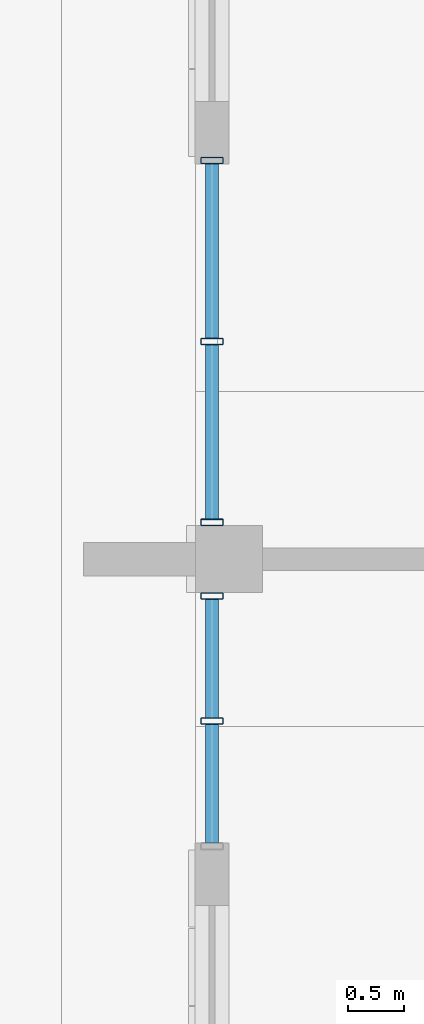
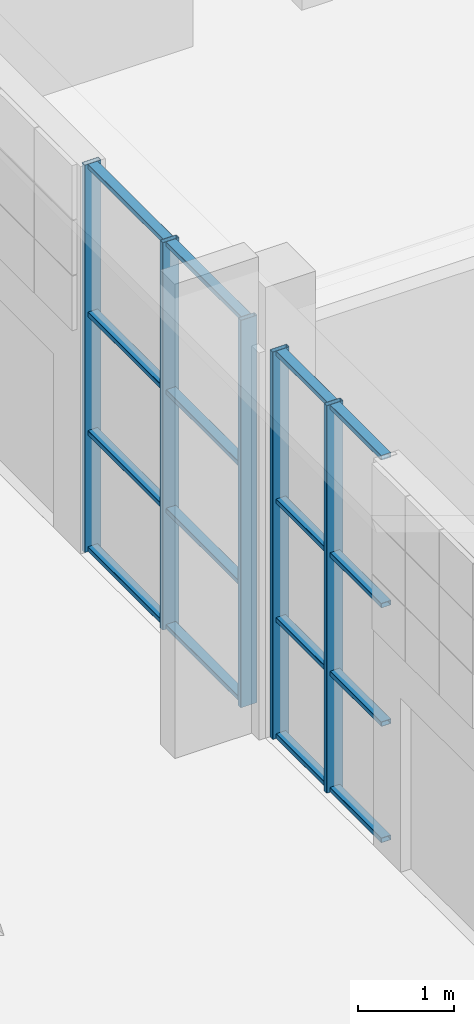
# One storey, part 26 of 125: 21 members, 2 elements without a shape of their own.
"""IFC4 building model written with IfcOpenShell, lengths in metres."""

import ifcopenshell
import ifcopenshell.guid

model = None  # the IFC model being written
_history = None  # IfcOwnerHistory: only IFC2X3 demands one
_inside = {}  # id of a spatial element -> (the spatial element, [elements in it])
_under = {}  # id of a project, library or spatial element -> (it, [spatial elements below it])
_declared = {}  # id of a project -> (the project, [libraries it declares])
_typed = {}  # id of a type object -> (the type object, [elements of that type])
_made_of = {}  # id of a material, layer set ... -> (it, [elements and type objects made of it])


def new_model(schema):
    """Start an empty IFC model of exactly this schema.

    Asked for "IFC4X3", IfcOpenShell would pick the latest addendum, in which some entities
    have other attributes; the version numbers below select the first issue.
    IFC2X3 requires an IfcOwnerHistory on every rooted entity: one is made here for all.
    """
    global model, _history
    if schema == "IFC4X3":
        model = ifcopenshell.file(schema_version=(4, 3, 0, 0))
    else:
        model = ifcopenshell.file(schema=schema)
    _inside.clear()
    _under.clear()
    _declared.clear()
    _typed.clear()
    _made_of.clear()
    _history = None
    if model.schema == "IFC2X3":
        org = make("IfcOrganization", Name="unknown")
        user = make(
            "IfcPersonAndOrganization",
            ThePerson=make("IfcPerson", FamilyName="unknown"),
            TheOrganization=org,
        )
        app = make(
            "IfcApplication",
            ApplicationDeveloper=org,
            Version="unknown",
            ApplicationFullName="unknown",
            ApplicationIdentifier="unknown",
        )
        _history = make(
            "IfcOwnerHistory",
            OwningUser=user,
            OwningApplication=app,
            ChangeAction="ADDED",
            CreationDate=0,
        )
    return model


def make(cls, **values):
    """One entity of the class cls with the attributes given. An attribute that is None is left unset."""
    return model.create_entity(
        cls, **{name: value for name, value in values.items() if value is not None}
    )


def rooted(cls, **values):
    """An entity with a GlobalId (a new one), such as an element, a storey or a relation."""
    return make(cls, GlobalId=ifcopenshell.guid.new(), OwnerHistory=_history, **values)


def si_unit(unit_type, name, prefix=None):
    """IfcSIUnit, for example si_unit("LENGTHUNIT", "METRE", prefix="MILLI")."""
    return make("IfcSIUnit", UnitType=unit_type, Prefix=prefix, Name=name)


def assignment(units):
    """IfcUnitAssignment: the units of a project."""
    return None if units is None else make("IfcUnitAssignment", Units=units)


def point(xyz):
    """IfcCartesianPoint."""
    return None if xyz is None else make("IfcCartesianPoint", Coordinates=xyz)


def direction(xyz):
    """IfcDirection."""
    return None if xyz is None else make("IfcDirection", DirectionRatios=xyz)


def frame(location, z_axis=None, x_axis=None):
    """IfcAxis2Placement3D, a coordinate frame: its origin and axes. An axis left out is left unset."""
    return make(
        "IfcAxis2Placement3D",
        Location=point(location),
        Axis=direction(z_axis),
        RefDirection=direction(x_axis),
    )


def frame_2d(location, x_axis=None):
    """IfcAxis2Placement2D, a coordinate frame in the plane: its origin and x axis."""
    return make(
        "IfcAxis2Placement2D", Location=point(location), RefDirection=direction(x_axis)
    )


def origin():
    """The frame at (0, 0, 0) with its axes left unset."""
    return frame((0.0, 0.0, 0.0))


def origin_2d():
    """The frame at (0, 0) in the plane with its x axis left unset."""
    return frame_2d((0.0, 0.0))


def place(relative_to, where):
    """IfcLocalPlacement: puts the frame where relative to a parent placement (None: the world)."""
    return make(
        "IfcLocalPlacement", PlacementRelTo=relative_to, RelativePlacement=where
    )


def context(
    kind, dimensions, precision=None, world=None, true_north=None, identifier=None
):
    """IfcGeometricRepresentationContext, for example the 3D "Model" context."""
    return make(
        "IfcGeometricRepresentationContext",
        ContextIdentifier=identifier,
        ContextType=kind,
        CoordinateSpaceDimension=dimensions,
        Precision=precision,
        WorldCoordinateSystem=world,
        TrueNorth=true_north,
    )


def subcontext(parent, identifier, kind, view, scale=None):
    """IfcGeometricRepresentationSubContext, for example "Body" below "Model"."""
    return make(
        "IfcGeometricRepresentationSubContext",
        ContextIdentifier=identifier,
        ContextType=kind,
        ParentContext=parent,
        TargetScale=scale,
        TargetView=view,
    )


def project(units=None, contexts=None):
    """IfcProject with its units and contexts."""
    return rooted(
        "IfcProject",
        Name="project",
        RepresentationContexts=contexts,
        UnitsInContext=assignment(units),
    )


def spatial(cls, under=None, at=None, **own):
    """A site, building, storey or space (cls), placed at a placement, below another one or the project."""
    s = rooted(cls, ObjectPlacement=at, **own)
    if under is not None:
        _under.setdefault(under.id(), (under, []))[1].append(s)
    return s


def profile(cls, at=None, kind="AREA", **sizes):
    """A parametric profile (cls). Its sizes go by their IFC names, for example OverallWidth=200.0."""
    return make(cls, ProfileType=kind, Position=at, **sizes)


def hollow_rectangle(**sizes):
    """IfcRectangleHollowProfileDef."""
    return profile("IfcRectangleHollowProfileDef", **sizes)


def extrude(swept, where, along, depth):
    """IfcExtrudedAreaSolid: the profile swept, set in the frame where, extruded along a direction by depth."""
    return make(
        "IfcExtrudedAreaSolid",
        SweptArea=swept,
        Position=where,
        ExtrudedDirection=direction(along),
        Depth=depth,
    )


def shape(context_of_items, identifier, shape_type, items):
    """IfcShapeRepresentation: the items that make up one representation, for example the "Body"."""
    return make(
        "IfcShapeRepresentation",
        ContextOfItems=context_of_items,
        RepresentationIdentifier=identifier,
        RepresentationType=shape_type,
        Items=items,
    )


def material(Name=None, Category=None):
    """IfcMaterial."""
    return make("IfcMaterial", Name=Name, Category=Category)


def material_profile(
    of_material, cross_section, Name=None, Category=None, Priority=None
):
    """IfcMaterialProfile: a cross section and its material."""
    return make(
        "IfcMaterialProfile",
        Name=Name,
        Material=of_material,
        Profile=cross_section,
        Priority=Priority,
        Category=Category,
    )


def profile_set(profiles, Name=None, composite=None):
    """IfcMaterialProfileSet."""
    return make(
        "IfcMaterialProfileSet",
        Name=Name,
        MaterialProfiles=profiles,
        CompositeProfile=composite,
    )


def made_of(thing, what):
    """Note that an element or type object is made of a material, layer set ...; save() writes the relation."""
    if what is not None:
        _made_of.setdefault(what.id(), (what, []))[1].append(thing)
    return thing


def type_object(cls, material=None, **own):
    """A type object (cls), such as IfcWallType, which elements share."""
    return made_of(rooted(cls, **own), material)


def element(
    cls,
    number,
    at=None,
    inside=None,
    cuts=None,
    type_object=None,
    material=None,
    context=None,
    identifier="Body",
    shape_type=None,
    held_by="IfcProductDefinitionShape",
    body=None,
    shapes=None,
    **own,
):
    """One element of the class cls, such as IfcWall. Its Tag is "e" and its number.

    at: its placement. inside: the storey or other place that contains it. cuts: it is an
    opening in that element (IfcRelVoidsElement). A single representation is given by context,
    identifier, shape_type and body (its items); several are given by shapes. held_by: the class
    of the entity that holds the representations. save() writes the other relations.
    """
    e = rooted(cls, Tag="e%d" % number, ObjectPlacement=at, **own)
    if body is not None:
        shapes = [shape(context, identifier, shape_type, body)]
    if shapes is not None:
        e.Representation = make(held_by, Representations=shapes)
    if inside is not None:
        _inside.setdefault(inside.id(), (inside, []))[1].append(e)
    if cuts is not None:
        rooted(
            "IfcRelVoidsElement", RelatingBuildingElement=cuts, RelatedOpeningElement=e
        )
    if type_object is not None:
        _typed.setdefault(type_object.id(), (type_object, []))[1].append(e)
    return made_of(e, material)


def aggregate(whole, parts):
    """IfcRelAggregates: a whole, such as a stair, and the parts it consists of."""
    return rooted("IfcRelAggregates", RelatingObject=whole, RelatedObjects=parts)


def save(model, path):
    """Write the relations noted so far, then the file.

    IfcRelAggregates (storeys below a building ...), IfcRelContainedInSpatialStructure (elements
    in a storey), IfcRelDefinesByType, IfcRelAssociatesMaterial and IfcRelDeclares: one each for
    every whole, place, type object, material and project.
    """
    for whole, parts in _under.values():
        aggregate(whole, parts)
    for where, things in _inside.values():
        rooted(
            "IfcRelContainedInSpatialStructure",
            RelatedElements=things,
            RelatingStructure=where,
        )
    for kind, things in _typed.values():
        rooted("IfcRelDefinesByType", RelatedObjects=things, RelatingType=kind)
    for what, things in _made_of.values():
        rooted("IfcRelAssociatesMaterial", RelatedObjects=things, RelatingMaterial=what)
    for by, libraries in _declared.values():
        rooted("IfcRelDeclares", RelatingContext=by, RelatedDefinitions=libraries)
    model.write(path)


model = new_model("IFC4")

# Units and contexts
model_context = context("Model", 3, precision=1e-05, world=origin(), true_north=direction((0.0, 1.0)))
body_context = subcontext(model_context, "Body", "Model", "MODEL_VIEW")
ifc_project = project(units=[si_unit("LENGTHUNIT", "METRE"), si_unit("AREAUNIT", "SQUARE_METRE"), si_unit("VOLUMEUNIT", "CUBIC_METRE"), si_unit("PLANEANGLEUNIT", "RADIAN"), si_unit("MASSUNIT", "GRAM", prefix="KILO")], contexts=[model_context])

# Site, building, storey
site_placement = place(None, origin())
site = spatial("IfcSite", under=ifc_project, at=site_placement, CompositionType="ELEMENT")
building_placement = place(site_placement, origin())
building = spatial("IfcBuilding", under=site, at=building_placement, Name="Sun Court Science Centre", CompositionType="ELEMENT")
storey_placement = place(building_placement, origin())
storey = spatial("IfcBuildingStorey", under=building, at=storey_placement, Name="L00", CompositionType="ELEMENT", Elevation=0.0)

# Curtain wall, members
ifc_material_1 = material(Name="Aluminium EN AW-6063 T6", Category="aluminium")
curtain_wall_type = type_object("IfcCurtainWallType", Name="Laboratory tall bay curtain wall 1500", PredefinedType="NOTDEFINED", material=ifc_material_1)
curtain_wall_1_placement = place(storey_placement, origin())
curtain_wall_1 = element("IfcCurtainWall", 1, at=curtain_wall_1_placement, inside=storey, type_object=curtain_wall_type, Name="Curtain wall V4 W L00 01", PredefinedType="NOTDEFINED")
ifc_material_2 = material(Name="Aluminium EN AW-6063 T6", Category="aluminium")
ifc_material_profile_1 = material_profile(ifc_material_2, hollow_rectangle(XDim=0.06005859375, YDim=0.199951171875, WallThickness=0.0048828125, InnerFilletRadius=0.0048828125, OuterFilletRadius=0.007568359375, at=origin_2d()), Name="AL 60x200x5")
ifc_profile_set_1 = profile_set([ifc_material_profile_1], Name="Aluminium EN AW-6063 T6")
member_type_1 = type_object("IfcMemberType", Name="Curtain wall mullion AL 60x200", PredefinedType="MULLION", material=ifc_profile_set_1)
member_1_placement = place(storey_placement, frame((78.14990234375, 19.550048828125, 0.0), z_axis=(0.0, 0.0, 1.0), x_axis=(0.0, 1.0, 0.0)))
member_1 = element("IfcMember", 2, at=member_1_placement, type_object=member_type_1, Name="CW2-01 mullion 2", PredefinedType="MULLION", context=body_context, shape_type="SweptSolid", body=[
    extrude(hollow_rectangle(XDim=0.06005859375, YDim=0.199951171875, WallThickness=0.0048828125, InnerFilletRadius=0.0048828125, OuterFilletRadius=0.007568359375, at=origin_2d()), origin(), (0.0, 0.0, 1.0), 4.89990234375),
])
member_2_placement = place(storey_placement, frame((78.14990234375, 20.669921875, 0.0), z_axis=(0.0, 0.0, 1.0), x_axis=(0.0, 1.0, 0.0)))
member_2 = element("IfcMember", 3, at=member_2_placement, type_object=member_type_1, Name="CW2-01 mullion 3", PredefinedType="MULLION", context=body_context, shape_type="SweptSolid", body=[
    extrude(hollow_rectangle(XDim=0.06005859375, YDim=0.199951171875, WallThickness=0.0048828125, InnerFilletRadius=0.0048828125, OuterFilletRadius=0.007568359375, at=origin_2d()), origin(), (0.0, 0.0, 1.0), 4.89990234375),
])

curtain_wall_2_placement = place(storey_placement, origin())
curtain_wall_2 = element("IfcCurtainWall", 4, at=curtain_wall_2_placement, inside=storey, type_object=curtain_wall_type, Name="Curtain wall V4 W L00 02", PredefinedType="NOTDEFINED")
member_3_placement = place(storey_placement, frame((78.14990234375, 21.330078125, 0.0), z_axis=(0.0, 0.0, 1.0), x_axis=(0.0, 1.0, 0.0)))
member_3 = element("IfcMember", 5, at=member_3_placement, type_object=member_type_1, Name="CW2-02 mullion 1", PredefinedType="MULLION", context=body_context, shape_type="SweptSolid", body=[
    extrude(hollow_rectangle(XDim=0.06005859375, YDim=0.199951171875, WallThickness=0.0048828125, InnerFilletRadius=0.0048828125, OuterFilletRadius=0.007568359375, at=origin_2d()), origin(), (0.0, 0.0, 1.0), 4.89990234375),
])
member_4_placement = place(storey_placement, frame((78.14990234375, 22.949951171875, 0.0), z_axis=(0.0, 0.0, 1.0), x_axis=(0.0, 1.0, 0.0)))
member_4 = element("IfcMember", 6, at=member_4_placement, type_object=member_type_1, Name="CW2-02 mullion 2", PredefinedType="MULLION", context=body_context, shape_type="SweptSolid", body=[
    extrude(hollow_rectangle(XDim=0.06005859375, YDim=0.199951171875, WallThickness=0.0048828125, InnerFilletRadius=0.0048828125, OuterFilletRadius=0.007568359375, at=origin_2d()), origin(), (0.0, 0.0, 1.0), 4.89990234375),
])
member_5_placement = place(storey_placement, frame((78.14990234375, 24.570068359375, 0.0), z_axis=(0.0, 0.0, 1.0), x_axis=(0.0, 1.0, 0.0)))
member_5 = element("IfcMember", 7, at=member_5_placement, type_object=member_type_1, Name="CW2-02 mullion 3", PredefinedType="MULLION", context=body_context, shape_type="SweptSolid", body=[
    extrude(hollow_rectangle(XDim=0.06005859375, YDim=0.199951171875, WallThickness=0.0048828125, InnerFilletRadius=0.0048828125, OuterFilletRadius=0.007568359375, at=origin_2d()), origin(), (0.0, 0.0, 1.0), 4.89990234375),
])

# Member
ifc_material_3 = material(Name="Aluminium EN AW-6063 T6", Category="aluminium")
ifc_material_profile_2 = material_profile(ifc_material_3, hollow_rectangle(XDim=0.06005859375, YDim=0.1201171875, WallThickness=0.00390625, InnerFilletRadius=0.00390625, OuterFilletRadius=0.006103515625, at=origin_2d()), Name="AL 60x120x4")
ifc_profile_set_2 = profile_set([ifc_material_profile_2], Name="Aluminium EN AW-6063 T6")
member_type_2 = type_object("IfcMemberType", Name="Curtain wall transom AL 60x120", PredefinedType="USERDEFINED", material=ifc_profile_set_2)
member_6_placement = place(storey_placement, frame((78.14990234375, 18.4599609375, 0.030029296875), z_axis=(0.0, 1.0, 0.0), x_axis=(0.0, 0.0, 1.0)))
member_6 = element("IfcMember", 8, at=member_6_placement, type_object=member_type_2, Name="CW2-01 transom 1.1", ObjectType="TRANSOM", PredefinedType="USERDEFINED", context=body_context, shape_type="SweptSolid", body=[
    extrude(hollow_rectangle(XDim=0.06005859375, YDim=0.1201171875, WallThickness=0.00390625, InnerFilletRadius=0.00390625, OuterFilletRadius=0.006103515625, at=origin_2d()), origin(), (0.0, 0.0, 1.0), 1.06005859375),
])

member_7_placement = place(storey_placement, frame((78.14990234375, 19.580078125, 0.030029296875), z_axis=(0.0, 1.0, 0.0), x_axis=(0.0, 0.0, 1.0)))
member_7 = element("IfcMember", 9, at=member_7_placement, type_object=member_type_2, Name="CW2-01 transom 2.1", ObjectType="TRANSOM", PredefinedType="USERDEFINED", context=body_context, shape_type="SweptSolid", body=[
    extrude(hollow_rectangle(XDim=0.06005859375, YDim=0.1201171875, WallThickness=0.00390625, InnerFilletRadius=0.00390625, OuterFilletRadius=0.006103515625, at=origin_2d()), origin(), (0.0, 0.0, 1.0), 1.059814453125),
])

member_8_placement = place(storey_placement, frame((78.14990234375, 18.4599609375, 1.5), z_axis=(0.0, 1.0, 0.0), x_axis=(0.0, 0.0, 1.0)))
member_8 = element("IfcMember", 10, at=member_8_placement, type_object=member_type_2, Name="CW2-01 transom 1.2", ObjectType="TRANSOM", PredefinedType="USERDEFINED", context=body_context, shape_type="SweptSolid", body=[
    extrude(hollow_rectangle(XDim=0.06005859375, YDim=0.1201171875, WallThickness=0.00390625, InnerFilletRadius=0.00390625, OuterFilletRadius=0.006103515625, at=origin_2d()), origin(), (0.0, 0.0, 1.0), 1.06005859375),
])

member_9_placement = place(storey_placement, frame((78.14990234375, 19.580078125, 1.5), z_axis=(0.0, 1.0, 0.0), x_axis=(0.0, 0.0, 1.0)))
member_9 = element("IfcMember", 11, at=member_9_placement, type_object=member_type_2, Name="CW2-01 transom 2.2", ObjectType="TRANSOM", PredefinedType="USERDEFINED", context=body_context, shape_type="SweptSolid", body=[
    extrude(hollow_rectangle(XDim=0.06005859375, YDim=0.1201171875, WallThickness=0.00390625, InnerFilletRadius=0.00390625, OuterFilletRadius=0.006103515625, at=origin_2d()), origin(), (0.0, 0.0, 1.0), 1.059814453125),
])

member_10_placement = place(storey_placement, frame((78.14990234375, 18.4599609375, 3.0), z_axis=(0.0, 1.0, 0.0), x_axis=(0.0, 0.0, 1.0)))
member_10 = element("IfcMember", 12, at=member_10_placement, type_object=member_type_2, Name="CW2-01 transom 1.3", ObjectType="TRANSOM", PredefinedType="USERDEFINED", context=body_context, shape_type="SweptSolid", body=[
    extrude(hollow_rectangle(XDim=0.06005859375, YDim=0.1201171875, WallThickness=0.00390625, InnerFilletRadius=0.00390625, OuterFilletRadius=0.006103515625, at=origin_2d()), origin(), (0.0, 0.0, 1.0), 1.06005859375),
])

member_11_placement = place(storey_placement, frame((78.14990234375, 19.580078125, 3.0), z_axis=(0.0, 1.0, 0.0), x_axis=(0.0, 0.0, 1.0)))
member_11 = element("IfcMember", 13, at=member_11_placement, type_object=member_type_2, Name="CW2-01 transom 2.3", ObjectType="TRANSOM", PredefinedType="USERDEFINED", context=body_context, shape_type="SweptSolid", body=[
    extrude(hollow_rectangle(XDim=0.06005859375, YDim=0.1201171875, WallThickness=0.00390625, InnerFilletRadius=0.00390625, OuterFilletRadius=0.006103515625, at=origin_2d()), origin(), (0.0, 0.0, 1.0), 1.059814453125),
])

member_12_placement = place(storey_placement, frame((78.14990234375, 18.4599609375, 4.8701171875), z_axis=(0.0, 1.0, 0.0), x_axis=(0.0, 0.0, 1.0)))
member_12 = element("IfcMember", 14, at=member_12_placement, type_object=member_type_2, Name="CW2-01 transom 1.4", ObjectType="TRANSOM", PredefinedType="USERDEFINED", context=body_context, shape_type="SweptSolid", body=[
    extrude(hollow_rectangle(XDim=0.06005859375, YDim=0.1201171875, WallThickness=0.00390625, InnerFilletRadius=0.00390625, OuterFilletRadius=0.006103515625, at=origin_2d()), origin(), (0.0, 0.0, 1.0), 1.06005859375),
])

member_13_placement = place(storey_placement, frame((78.14990234375, 19.580078125, 4.8701171875), z_axis=(0.0, 1.0, 0.0), x_axis=(0.0, 0.0, 1.0)))
member_13 = element("IfcMember", 15, at=member_13_placement, type_object=member_type_2, Name="CW2-01 transom 2.4", ObjectType="TRANSOM", PredefinedType="USERDEFINED", context=body_context, shape_type="SweptSolid", body=[
    extrude(hollow_rectangle(XDim=0.06005859375, YDim=0.1201171875, WallThickness=0.00390625, InnerFilletRadius=0.00390625, OuterFilletRadius=0.006103515625, at=origin_2d()), origin(), (0.0, 0.0, 1.0), 1.059814453125),
])

aggregate(curtain_wall_1, [member_1, member_2, member_6, member_7, member_8, member_9, member_10, member_11, member_12, member_13])

member_14_placement = place(storey_placement, frame((78.14990234375, 21.360107421875, 0.030029296875), z_axis=(0.0, 1.0, 0.0), x_axis=(0.0, 0.0, 1.0)))
member_14 = element("IfcMember", 16, at=member_14_placement, type_object=member_type_2, Name="CW2-02 transom 1.1", ObjectType="TRANSOM", PredefinedType="USERDEFINED", context=body_context, shape_type="SweptSolid", body=[
    extrude(hollow_rectangle(XDim=0.06005859375, YDim=0.1201171875, WallThickness=0.00390625, InnerFilletRadius=0.00390625, OuterFilletRadius=0.006103515625, at=origin_2d()), origin(), (0.0, 0.0, 1.0), 1.559814453125),
])

member_15_placement = place(storey_placement, frame((78.14990234375, 22.97998046875, 0.030029296875), z_axis=(0.0, 1.0, 0.0), x_axis=(0.0, 0.0, 1.0)))
member_15 = element("IfcMember", 17, at=member_15_placement, type_object=member_type_2, Name="CW2-02 transom 2.1", ObjectType="TRANSOM", PredefinedType="USERDEFINED", context=body_context, shape_type="SweptSolid", body=[
    extrude(hollow_rectangle(XDim=0.06005859375, YDim=0.1201171875, WallThickness=0.00390625, InnerFilletRadius=0.00390625, OuterFilletRadius=0.006103515625, at=origin_2d()), origin(), (0.0, 0.0, 1.0), 1.56005859375),
])

member_16_placement = place(storey_placement, frame((78.14990234375, 21.360107421875, 1.5), z_axis=(0.0, 1.0, 0.0), x_axis=(0.0, 0.0, 1.0)))
member_16 = element("IfcMember", 18, at=member_16_placement, type_object=member_type_2, Name="CW2-02 transom 1.2", ObjectType="TRANSOM", PredefinedType="USERDEFINED", context=body_context, shape_type="SweptSolid", body=[
    extrude(hollow_rectangle(XDim=0.06005859375, YDim=0.1201171875, WallThickness=0.00390625, InnerFilletRadius=0.00390625, OuterFilletRadius=0.006103515625, at=origin_2d()), origin(), (0.0, 0.0, 1.0), 1.559814453125),
])

member_17_placement = place(storey_placement, frame((78.14990234375, 22.97998046875, 1.5), z_axis=(0.0, 1.0, 0.0), x_axis=(0.0, 0.0, 1.0)))
member_17 = element("IfcMember", 19, at=member_17_placement, type_object=member_type_2, Name="CW2-02 transom 2.2", ObjectType="TRANSOM", PredefinedType="USERDEFINED", context=body_context, shape_type="SweptSolid", body=[
    extrude(hollow_rectangle(XDim=0.06005859375, YDim=0.1201171875, WallThickness=0.00390625, InnerFilletRadius=0.00390625, OuterFilletRadius=0.006103515625, at=origin_2d()), origin(), (0.0, 0.0, 1.0), 1.56005859375),
])

member_18_placement = place(storey_placement, frame((78.14990234375, 21.360107421875, 3.0), z_axis=(0.0, 1.0, 0.0), x_axis=(0.0, 0.0, 1.0)))
member_18 = element("IfcMember", 20, at=member_18_placement, type_object=member_type_2, Name="CW2-02 transom 1.3", ObjectType="TRANSOM", PredefinedType="USERDEFINED", context=body_context, shape_type="SweptSolid", body=[
    extrude(hollow_rectangle(XDim=0.06005859375, YDim=0.1201171875, WallThickness=0.00390625, InnerFilletRadius=0.00390625, OuterFilletRadius=0.006103515625, at=origin_2d()), origin(), (0.0, 0.0, 1.0), 1.559814453125),
])

member_19_placement = place(storey_placement, frame((78.14990234375, 22.97998046875, 3.0), z_axis=(0.0, 1.0, 0.0), x_axis=(0.0, 0.0, 1.0)))
member_19 = element("IfcMember", 21, at=member_19_placement, type_object=member_type_2, Name="CW2-02 transom 2.3", ObjectType="TRANSOM", PredefinedType="USERDEFINED", context=body_context, shape_type="SweptSolid", body=[
    extrude(hollow_rectangle(XDim=0.06005859375, YDim=0.1201171875, WallThickness=0.00390625, InnerFilletRadius=0.00390625, OuterFilletRadius=0.006103515625, at=origin_2d()), origin(), (0.0, 0.0, 1.0), 1.56005859375),
])

member_20_placement = place(storey_placement, frame((78.14990234375, 21.360107421875, 4.8701171875), z_axis=(0.0, 1.0, 0.0), x_axis=(0.0, 0.0, 1.0)))
member_20 = element("IfcMember", 22, at=member_20_placement, type_object=member_type_2, Name="CW2-02 transom 1.4", ObjectType="TRANSOM", PredefinedType="USERDEFINED", context=body_context, shape_type="SweptSolid", body=[
    extrude(hollow_rectangle(XDim=0.06005859375, YDim=0.1201171875, WallThickness=0.00390625, InnerFilletRadius=0.00390625, OuterFilletRadius=0.006103515625, at=origin_2d()), origin(), (0.0, 0.0, 1.0), 1.559814453125),
])

member_21_placement = place(storey_placement, frame((78.14990234375, 22.97998046875, 4.8701171875), z_axis=(0.0, 1.0, 0.0), x_axis=(0.0, 0.0, 1.0)))
member_21 = element("IfcMember", 23, at=member_21_placement, type_object=member_type_2, Name="CW2-02 transom 2.4", ObjectType="TRANSOM", PredefinedType="USERDEFINED", context=body_context, shape_type="SweptSolid", body=[
    extrude(hollow_rectangle(XDim=0.06005859375, YDim=0.1201171875, WallThickness=0.00390625, InnerFilletRadius=0.00390625, OuterFilletRadius=0.006103515625, at=origin_2d()), origin(), (0.0, 0.0, 1.0), 1.56005859375),
])

aggregate(curtain_wall_2, [member_3, member_4, member_5, member_14, member_15, member_16, member_17, member_18, member_19, member_20, member_21])

save(model, "model.ifc")
